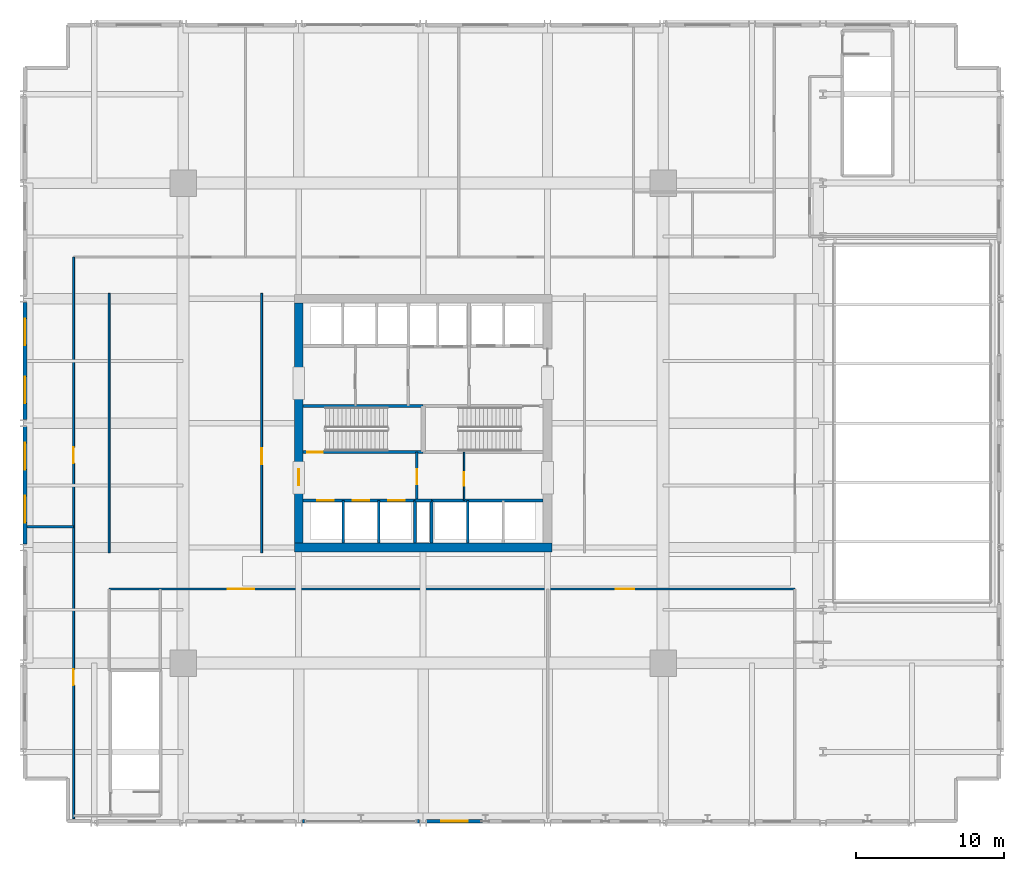
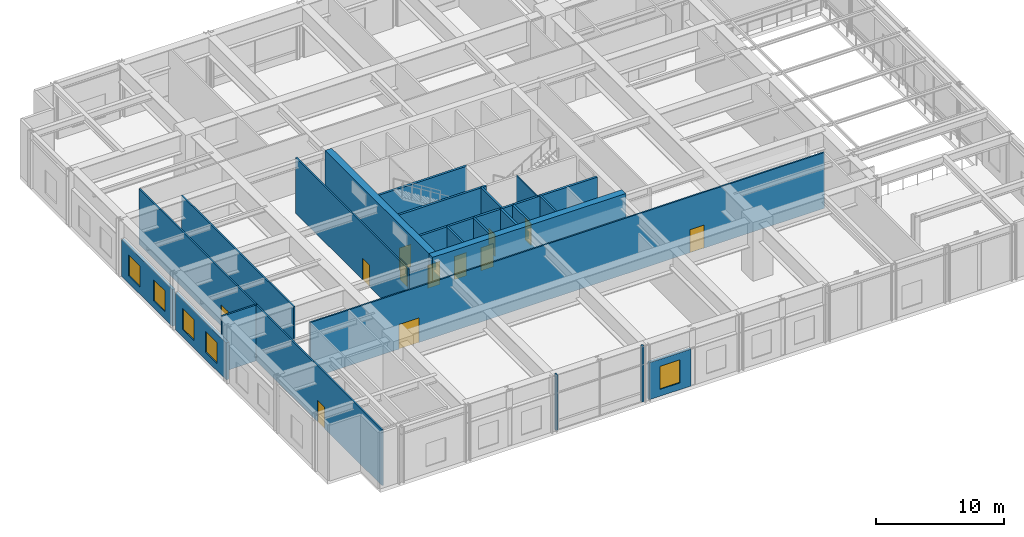
# One storey, part 11 of 19: 24 walls, 12 doors, 5 windows, 17 openings.
"""IFC4 building model written with IfcOpenShell, lengths in metres."""

import ifcopenshell
import ifcopenshell.guid

model = None  # the IFC model being written
_history = None  # IfcOwnerHistory: only IFC2X3 demands one
_inside = {}  # id of a spatial element -> (the spatial element, [elements in it])
_under = {}  # id of a project, library or spatial element -> (it, [spatial elements below it])
_declared = {}  # id of a project -> (the project, [libraries it declares])
_typed = {}  # id of a type object -> (the type object, [elements of that type])
_made_of = {}  # id of a material, layer set ... -> (it, [elements and type objects made of it])


def new_model(schema):
    """Start an empty IFC model of exactly this schema.

    Asked for "IFC4X3", IfcOpenShell would pick the latest addendum, in which some entities
    have other attributes; the version numbers below select the first issue.
    IFC2X3 requires an IfcOwnerHistory on every rooted entity: one is made here for all.
    """
    global model, _history
    if schema == "IFC4X3":
        model = ifcopenshell.file(schema_version=(4, 3, 0, 0))
    else:
        model = ifcopenshell.file(schema=schema)
    _inside.clear()
    _under.clear()
    _declared.clear()
    _typed.clear()
    _made_of.clear()
    _history = None
    if model.schema == "IFC2X3":
        org = make("IfcOrganization", Name="unknown")
        user = make(
            "IfcPersonAndOrganization",
            ThePerson=make("IfcPerson", FamilyName="unknown"),
            TheOrganization=org,
        )
        app = make(
            "IfcApplication",
            ApplicationDeveloper=org,
            Version="unknown",
            ApplicationFullName="unknown",
            ApplicationIdentifier="unknown",
        )
        _history = make(
            "IfcOwnerHistory",
            OwningUser=user,
            OwningApplication=app,
            ChangeAction="ADDED",
            CreationDate=0,
        )
    return model


def make(cls, **values):
    """One entity of the class cls with the attributes given. An attribute that is None is left unset."""
    return model.create_entity(
        cls, **{name: value for name, value in values.items() if value is not None}
    )


def rooted(cls, **values):
    """An entity with a GlobalId (a new one), such as an element, a storey or a relation."""
    return make(cls, GlobalId=ifcopenshell.guid.new(), OwnerHistory=_history, **values)


def si_unit(unit_type, name, prefix=None):
    """IfcSIUnit, for example si_unit("LENGTHUNIT", "METRE", prefix="MILLI")."""
    return make("IfcSIUnit", UnitType=unit_type, Prefix=prefix, Name=name)


def assignment(units):
    """IfcUnitAssignment: the units of a project."""
    return None if units is None else make("IfcUnitAssignment", Units=units)


def point(xyz):
    """IfcCartesianPoint."""
    return None if xyz is None else make("IfcCartesianPoint", Coordinates=xyz)


def direction(xyz):
    """IfcDirection."""
    return None if xyz is None else make("IfcDirection", DirectionRatios=xyz)


def frame(location, z_axis=None, x_axis=None):
    """IfcAxis2Placement3D, a coordinate frame: its origin and axes. An axis left out is left unset."""
    return make(
        "IfcAxis2Placement3D",
        Location=point(location),
        Axis=direction(z_axis),
        RefDirection=direction(x_axis),
    )


def frame_2d(location, x_axis=None):
    """IfcAxis2Placement2D, a coordinate frame in the plane: its origin and x axis."""
    return make(
        "IfcAxis2Placement2D", Location=point(location), RefDirection=direction(x_axis)
    )


def origin():
    """The frame at (0, 0, 0) with its axes left unset."""
    return frame((0.0, 0.0, 0.0))


def place(relative_to, where):
    """IfcLocalPlacement: puts the frame where relative to a parent placement (None: the world)."""
    return make(
        "IfcLocalPlacement", PlacementRelTo=relative_to, RelativePlacement=where
    )


def context(
    kind, dimensions, precision=None, world=None, true_north=None, identifier=None
):
    """IfcGeometricRepresentationContext, for example the 3D "Model" context."""
    return make(
        "IfcGeometricRepresentationContext",
        ContextIdentifier=identifier,
        ContextType=kind,
        CoordinateSpaceDimension=dimensions,
        Precision=precision,
        WorldCoordinateSystem=world,
        TrueNorth=true_north,
    )


def subcontext(parent, identifier, kind, view, scale=None):
    """IfcGeometricRepresentationSubContext, for example "Body" below "Model"."""
    return make(
        "IfcGeometricRepresentationSubContext",
        ContextIdentifier=identifier,
        ContextType=kind,
        ParentContext=parent,
        TargetScale=scale,
        TargetView=view,
    )


def project(units=None, contexts=None):
    """IfcProject with its units and contexts."""
    return rooted(
        "IfcProject",
        Name="project",
        RepresentationContexts=contexts,
        UnitsInContext=assignment(units),
    )


def spatial(cls, under=None, at=None, **own):
    """A site, building, storey or space (cls), placed at a placement, below another one or the project."""
    s = rooted(cls, ObjectPlacement=at, **own)
    if under is not None:
        _under.setdefault(under.id(), (under, []))[1].append(s)
    return s


def profile(cls, at=None, kind="AREA", **sizes):
    """A parametric profile (cls). Its sizes go by their IFC names, for example OverallWidth=200.0."""
    return make(cls, ProfileType=kind, Position=at, **sizes)


def rectangle(**sizes):
    """IfcRectangleProfileDef."""
    return profile("IfcRectangleProfileDef", **sizes)


def extrude(swept, where, along, depth):
    """IfcExtrudedAreaSolid: the profile swept, set in the frame where, extruded along a direction by depth."""
    return make(
        "IfcExtrudedAreaSolid",
        SweptArea=swept,
        Position=where,
        ExtrudedDirection=direction(along),
        Depth=depth,
    )


def shape(context_of_items, identifier, shape_type, items):
    """IfcShapeRepresentation: the items that make up one representation, for example the "Body"."""
    return make(
        "IfcShapeRepresentation",
        ContextOfItems=context_of_items,
        RepresentationIdentifier=identifier,
        RepresentationType=shape_type,
        Items=items,
    )


def material(Name=None, Category=None):
    """IfcMaterial."""
    return make("IfcMaterial", Name=Name, Category=Category)


def layer(
    of_material, thickness, ventilated=None, Name=None, Category=None, Priority=None
):
    """IfcMaterialLayer: one layer of a wall or slab, of a material (None: an air gap)."""
    return make(
        "IfcMaterialLayer",
        Material=of_material,
        LayerThickness=thickness,
        IsVentilated=ventilated,
        Name=Name,
        Category=Category,
        Priority=Priority,
    )


def layer_set(layers, Name=None):
    """IfcMaterialLayerSet."""
    return make("IfcMaterialLayerSet", MaterialLayers=layers, LayerSetName=Name)


def made_of(thing, what):
    """Note that an element or type object is made of a material, layer set ...; save() writes the relation."""
    if what is not None:
        _made_of.setdefault(what.id(), (what, []))[1].append(thing)
    return thing


def type_object(cls, material=None, **own):
    """A type object (cls), such as IfcWallType, which elements share."""
    return made_of(rooted(cls, **own), material)


def element(
    cls,
    number,
    at=None,
    inside=None,
    cuts=None,
    type_object=None,
    material=None,
    context=None,
    identifier="Body",
    shape_type=None,
    held_by="IfcProductDefinitionShape",
    body=None,
    shapes=None,
    **own,
):
    """One element of the class cls, such as IfcWall. Its Tag is "e" and its number.

    at: its placement. inside: the storey or other place that contains it. cuts: it is an
    opening in that element (IfcRelVoidsElement). A single representation is given by context,
    identifier, shape_type and body (its items); several are given by shapes. held_by: the class
    of the entity that holds the representations. save() writes the other relations.
    """
    e = rooted(cls, Tag="e%d" % number, ObjectPlacement=at, **own)
    if body is not None:
        shapes = [shape(context, identifier, shape_type, body)]
    if shapes is not None:
        e.Representation = make(held_by, Representations=shapes)
    if inside is not None:
        _inside.setdefault(inside.id(), (inside, []))[1].append(e)
    if cuts is not None:
        rooted(
            "IfcRelVoidsElement", RelatingBuildingElement=cuts, RelatedOpeningElement=e
        )
    if type_object is not None:
        _typed.setdefault(type_object.id(), (type_object, []))[1].append(e)
    return made_of(e, material)


def fill(opening, filler):
    """IfcRelFillsElement: the door or window that sits in an opening."""
    return rooted(
        "IfcRelFillsElement",
        RelatingOpeningElement=opening,
        RelatedBuildingElement=filler,
    )


def aggregate(whole, parts):
    """IfcRelAggregates: a whole, such as a stair, and the parts it consists of."""
    return rooted("IfcRelAggregates", RelatingObject=whole, RelatedObjects=parts)


def save(model, path):
    """Write the relations noted so far, then the file.

    IfcRelAggregates (storeys below a building ...), IfcRelContainedInSpatialStructure (elements
    in a storey), IfcRelDefinesByType, IfcRelAssociatesMaterial and IfcRelDeclares: one each for
    every whole, place, type object, material and project.
    """
    for whole, parts in _under.values():
        aggregate(whole, parts)
    for where, things in _inside.values():
        rooted(
            "IfcRelContainedInSpatialStructure",
            RelatedElements=things,
            RelatingStructure=where,
        )
    for kind, things in _typed.values():
        rooted("IfcRelDefinesByType", RelatedObjects=things, RelatingType=kind)
    for what, things in _made_of.values():
        rooted("IfcRelAssociatesMaterial", RelatedObjects=things, RelatingMaterial=what)
    for by, libraries in _declared.values():
        rooted("IfcRelDeclares", RelatingContext=by, RelatedDefinitions=libraries)
    model.write(path)


model = new_model("IFC4")

# Units and contexts
model_context = context("Model", 3, precision=1e-05, world=origin(), true_north=direction((0.0, 1.0)))
body_context = subcontext(model_context, "Body", "Model", "MODEL_VIEW")
ifc_project = project(units=[si_unit("LENGTHUNIT", "METRE"), si_unit("AREAUNIT", "SQUARE_METRE"), si_unit("VOLUMEUNIT", "CUBIC_METRE"), si_unit("PLANEANGLEUNIT", "RADIAN"), si_unit("MASSUNIT", "GRAM", prefix="KILO")], contexts=[model_context])

# Site, building, storey
site_placement = place(None, origin())
site = spatial("IfcSite", under=ifc_project, at=site_placement, CompositionType="ELEMENT")
building_placement = place(site_placement, origin())
building = spatial("IfcBuilding", under=site, at=building_placement, Name="Drelvath Grand Hotel", CompositionType="ELEMENT")
storey_placement = place(building_placement, frame((0.0, 0.0, 27.60009765625)))
storey = spatial("IfcBuildingStorey", under=building, at=storey_placement, Name="L05", CompositionType="ELEMENT", Elevation=27.60009765625)

# Wall, opening, door
ifc_material_1 = material(Name="Gypsum Partition Board")
ifc_layer_1 = layer(ifc_material_1, 0.10009765625)
ifc_layer_set_1 = layer_set([ifc_layer_1], Name="Gypsum Partition Board")
wall_type_1 = type_object("IfcWallType", Name="Core Closet Partition 100", PredefinedType="PARTITIONING", material=ifc_layer_set_1)
wall_1_placement = place(storey_placement, frame((2.760009765625, 21.780029296875, 0.0), z_axis=(0.0, 0.0, 1.0), x_axis=(0.0, 1.0, 0.0)))
wall_1 = element("IfcWall", 1, at=wall_1_placement, inside=storey, type_object=wall_type_1, Name="L05 Butler Pantry Wall", PredefinedType="PARTITIONING", context=body_context, shape_type="SweptSolid", body=[
    extrude(rectangle(XDim=3.260009765625, YDim=0.10009765625, at=frame_2d((1.6298828125, 0.0))), origin(), (0.0, 0.0, 1.0), 5.31982421875),
])
opening_1_placement = place(wall_1_placement, frame((1.0, 0.0, 0.0)))
opening_1 = element("IfcOpeningElement", 2, at=opening_1_placement, cuts=wall_1, Name="Opening D-L05-016", PredefinedType="OPENING", context=body_context, shape_type="SweptSolid", body=[
    extrude(rectangle(XDim=0.919921875, YDim=2.10009765625, at=frame_2d((0.4599609375, 1.050048828125))), frame((0.0, 0.06005859375, 0.0), z_axis=(0.0, -1.0, 0.0), x_axis=(1.0, 0.0, 0.0)), (0.0, 0.0, 1.0), 0.1201171875),
])
ifc_material_2 = material(Name="Painted Steel S275", Category="steel")
door_type_1 = type_object("IfcDoorType", Name="Staff Utility Door 920x2100", OperationType="NOTDEFINED", PredefinedType="DOOR", material=ifc_material_2)
door_1_placement = place(opening_1_placement, origin())
door_1 = element("IfcDoor", 3, at=door_1_placement, inside=storey, type_object=door_type_1, Name="L05 Butler Pantry Door", OperationType="SINGLE_SWING_LEFT", OverallHeight=2.10009765625, OverallWidth=0.919921875, PredefinedType="DOOR", context=body_context, shape_type="SweptSolid", body=[
    extrude(rectangle(XDim=0.919921875, YDim=2.10009765625, at=frame_2d((0.4599609375, 1.050048828125))), frame((0.0, 0.02490234375, 0.0), z_axis=(0.0, -1.0, 0.0), x_axis=(1.0, 0.0, 0.0)), (0.0, 0.0, 1.0), 0.050048828125),
])
fill(opening_1, door_1)

# Wall, openings, doors
ifc_material_3 = material(Name="Concrete C40/50", Category="concrete")
ifc_layer_2 = layer(ifc_material_3, 0.199951171875)
ifc_layer_set_2 = layer_set([ifc_layer_2], Name="Concrete C40/50")
wall_type_2 = type_object("IfcWallType", Name="Core Hoistway Fire Wall 200", PredefinedType="SOLIDWALL", material=ifc_layer_set_2)
wall_2_placement = place(storey_placement, frame((-0.550048828125, 21.780029296875, 0.0), z_axis=(0.0, 0.0, 1.0), x_axis=(-1.0, 0.0, 0.0)))
wall_2 = element("IfcWall", 4, at=wall_2_placement, inside=storey, type_object=wall_type_2, Name="L05 Bank 1 Hoistway Wall", PredefinedType="SOLIDWALL", context=body_context, shape_type="SweptSolid", body=[
    extrude(rectangle(XDim=7.550048828125, YDim=0.199951171875, at=frame_2d((3.77490234375, 0.0))), origin(), (0.0, 0.0, 1.0), 5.31982421875),
])
opening_2_placement = place(wall_2_placement, frame((5.5, 0.0, 0.0)))
opening_2 = element("IfcOpeningElement", 5, at=opening_2_placement, cuts=wall_2, Name="Opening LD-PE-1", PredefinedType="OPENING", context=body_context, shape_type="SweptSolid", body=[
    extrude(rectangle(XDim=1.10009765625, YDim=2.199951171875, at=frame_2d((0.550048828125, 1.10009765625))), frame((0.0, 0.10986328125, 0.0), z_axis=(0.0, -1.0, 0.0), x_axis=(1.0, 0.0, 0.0)), (0.0, 0.0, 1.0), 0.219970703125),
])
opening_3_placement = place(wall_2_placement, frame((3.10009765625, 0.0, 0.0)))
opening_3 = element("IfcOpeningElement", 6, at=opening_3_placement, cuts=wall_2, Name="Opening LD-PE-2", PredefinedType="OPENING", context=body_context, shape_type="SweptSolid", body=[
    extrude(rectangle(XDim=1.10009765625, YDim=2.199951171875, at=frame_2d((0.550048828125, 1.10009765625))), frame((0.0, 0.10986328125, 0.0), z_axis=(0.0, -1.0, 0.0), x_axis=(1.0, 0.0, 0.0)), (0.0, 0.0, 1.0), 0.219970703125),
])
opening_4_placement = place(wall_2_placement, frame((0.699951171875, 0.0, 0.0)))
opening_4 = element("IfcOpeningElement", 7, at=opening_4_placement, cuts=wall_2, Name="Opening LD-PE-3", PredefinedType="OPENING", context=body_context, shape_type="SweptSolid", body=[
    extrude(rectangle(XDim=1.10009765625, YDim=2.199951171875, at=frame_2d((0.550048828125, 1.10009765625))), frame((0.0, 0.10986328125, 0.0), z_axis=(0.0, -1.0, 0.0), x_axis=(1.0, 0.0, 0.0)), (0.0, 0.0, 1.0), 0.219970703125),
])
ifc_material_4 = material(Name="Stainless Steel S355", Category="steel")
door_type_2 = type_object("IfcDoorType", Name="Passenger Lift Sliding Landing Door 1100x2200", OperationType="NOTDEFINED", PredefinedType="DOOR", material=ifc_material_4)
door_2_placement = place(opening_2_placement, origin())
door_2 = element("IfcDoor", 8, at=door_2_placement, inside=storey, type_object=door_type_2, Name="L05 Lift PE-1 Landing Door", OperationType="SLIDING_TO_LEFT", OverallHeight=2.199951171875, OverallWidth=1.10009765625, PredefinedType="DOOR", context=body_context, shape_type="SweptSolid", body=[
    extrude(rectangle(XDim=1.10009765625, YDim=2.199951171875, at=frame_2d((0.550048828125, 1.10009765625))), frame((0.0, 0.02490234375, 0.0), z_axis=(0.0, -1.0, 0.0), x_axis=(1.0, 0.0, 0.0)), (0.0, 0.0, 1.0), 0.050048828125),
])
fill(opening_2, door_2)
door_3_placement = place(opening_3_placement, origin())
door_3 = element("IfcDoor", 9, at=door_3_placement, inside=storey, type_object=door_type_2, Name="L05 Lift PE-2 Landing Door", OperationType="SLIDING_TO_LEFT", OverallHeight=2.199951171875, OverallWidth=1.10009765625, PredefinedType="DOOR", context=body_context, shape_type="SweptSolid", body=[
    extrude(rectangle(XDim=1.10009765625, YDim=2.199951171875, at=frame_2d((0.550048828125, 1.10009765625))), frame((0.0, 0.02490234375, 0.0), z_axis=(0.0, -1.0, 0.0), x_axis=(1.0, 0.0, 0.0)), (0.0, 0.0, 1.0), 0.050048828125),
])
fill(opening_3, door_3)
door_4_placement = place(opening_4_placement, origin())
door_4 = element("IfcDoor", 10, at=door_4_placement, inside=storey, type_object=door_type_2, Name="L05 Lift PE-3 Landing Door", OperationType="SLIDING_TO_LEFT", OverallHeight=2.199951171875, OverallWidth=1.10009765625, PredefinedType="DOOR", context=body_context, shape_type="SweptSolid", body=[
    extrude(rectangle(XDim=1.10009765625, YDim=2.199951171875, at=frame_2d((0.550048828125, 1.10009765625))), frame((0.0, 0.02490234375, 0.0), z_axis=(0.0, -1.0, 0.0), x_axis=(1.0, 0.0, 0.0)), (0.0, 0.0, 1.0), 0.050048828125),
])
fill(opening_4, door_4)

# Walls
wall_3_placement = place(storey_placement, frame((-0.550048828125, 18.89990234375, 0.0), z_axis=(0.0, 0.0, 1.0), x_axis=(0.0, 1.0, 0.0)))
element("IfcWall", 11, at=wall_3_placement, inside=storey, type_object=wall_type_2, Name="L05 Bank 1 East Wall", PredefinedType="SOLIDWALL", context=body_context, shape_type="SweptSolid", body=[
    extrude(rectangle(XDim=2.880126953125, YDim=0.199951171875, at=frame_2d((1.43994140625, 0.0))), origin(), (0.0, 0.0, 1.0), 5.31982421875),
])
wall_4_placement = place(storey_placement, frame((8.10009765625, 21.780029296875, 0.0), z_axis=(0.0, 0.0, 1.0), x_axis=(-1.0, 0.0, 0.0)))
element("IfcWall", 12, at=wall_4_placement, inside=storey, type_object=wall_type_2, Name="L05 Bank 2 Hoistway Wall", PredefinedType="SOLIDWALL", context=body_context, shape_type="SweptSolid", body=[
    extrude(rectangle(XDim=7.550048828125, YDim=0.199951171875, at=frame_2d((3.77490234375, 0.0))), origin(), (0.0, 0.0, 1.0), 5.31982421875),
])
wall_5_placement = place(storey_placement, frame((0.550048828125, 18.89990234375, 0.0), z_axis=(0.0, 0.0, 1.0), x_axis=(0.0, 1.0, 0.0)))
element("IfcWall", 13, at=wall_5_placement, inside=storey, type_object=wall_type_2, Name="L05 Bank 2 West Wall", PredefinedType="SOLIDWALL", context=body_context, shape_type="SweptSolid", body=[
    extrude(rectangle(XDim=2.880126953125, YDim=0.199951171875, at=frame_2d((1.43994140625, 0.0))), origin(), (0.0, 0.0, 1.0), 5.31982421875),
])
wall_6_placement = place(storey_placement, frame((-0.550048828125, 21.780029296875, 0.0), z_axis=(0.0, 0.0, 1.0), x_axis=(1.0, 0.0, 0.0)))
element("IfcWall", 14, at=wall_6_placement, inside=storey, type_object=wall_type_2, Name="L05 Core Riser Wall", PredefinedType="SOLIDWALL", context=body_context, shape_type="SweptSolid", body=[
    extrude(rectangle(XDim=1.10009765625, YDim=0.199951171875, at=frame_2d((0.550048828125, 0.0))), origin(), (0.0, 0.0, 1.0), 5.31982421875),
])

# Wall, opening, door
ifc_layer_3 = layer(ifc_material_3, 0.199951171875)
ifc_layer_set_3 = layer_set([ifc_layer_3], Name="Concrete C40/50")
wall_type_3 = type_object("IfcWallType", Name="Core Shaft Fire Wall 200", PredefinedType="SOLIDWALL", material=ifc_layer_set_3)
wall_7_placement = place(storey_placement, frame((-8.10009765625, 25.0400390625, 0.0), z_axis=(0.0, 0.0, 1.0), x_axis=(1.0, 0.0, 0.0)))
wall_7 = element("IfcWall", 15, at=wall_7_placement, inside=storey, type_object=wall_type_3, Name="L05 Stair ST-1 South Wall", PredefinedType="SOLIDWALL", context=body_context, shape_type="SweptSolid", body=[
    extrude(rectangle(XDim=8.10009765625, YDim=0.199951171875, at=frame_2d((4.050048828125, 0.0))), origin(), (0.0, 0.0, 1.0), 5.31982421875),
])
opening_5_placement = place(wall_7_placement, frame((0.280029296875, 0.0, 0.0)))
opening_5 = element("IfcOpeningElement", 16, at=opening_5_placement, cuts=wall_7, Name="Opening D-L05-001", PredefinedType="OPENING", context=body_context, shape_type="SweptSolid", body=[
    extrude(rectangle(XDim=1.050048828125, YDim=2.10009765625, at=frame_2d((0.52490234375, 1.050048828125))), frame((0.0, 0.10986328125, 0.0), z_axis=(0.0, -1.0, 0.0), x_axis=(1.0, 0.0, 0.0)), (0.0, 0.0, 1.0), 0.219970703125),
])
door_type_3 = type_object("IfcDoorType", Name="Tower Stairwell Fire Door 1050x2100", OperationType="NOTDEFINED", PredefinedType="DOOR", material=ifc_material_2)
door_5_placement = place(opening_5_placement, origin())
door_5 = element("IfcDoor", 17, at=door_5_placement, inside=storey, type_object=door_type_3, Name="L05 Exit Stair ST-1 Door", OperationType="SINGLE_SWING_LEFT", OverallHeight=2.10009765625, OverallWidth=1.050048828125, PredefinedType="DOOR", context=body_context, shape_type="SweptSolid", body=[
    extrude(rectangle(XDim=1.050048828125, YDim=2.10009765625, at=frame_2d((0.52490234375, 1.050048828125))), frame((0.0, 0.02490234375, 0.0), z_axis=(0.0, -1.0, 0.0), x_axis=(1.0, 0.0, 0.0)), (0.0, 0.0, 1.0), 0.050048828125),
])
fill(opening_5, door_5)

# Walls
wall_8_placement = place(storey_placement, frame((-8.10009765625, 28.159912109375, 0.0), z_axis=(0.0, 0.0, 1.0), x_axis=(1.0, 0.0, 0.0)))
element("IfcWall", 18, at=wall_8_placement, inside=storey, type_object=wall_type_3, Name="L05 Stair ST-1 North Wall", PredefinedType="SOLIDWALL", context=body_context, shape_type="SweptSolid", body=[
    extrude(rectangle(XDim=8.10009765625, YDim=0.199951171875, at=frame_2d((4.050048828125, 0.0))), origin(), (0.0, 0.0, 1.0), 5.31982421875),
])
ifc_material_5 = material(Name="Gypsum Fireboard Partition")
ifc_layer_4 = layer(ifc_material_5, 0.1650390625)
ifc_layer_set_4 = layer_set([ifc_layer_4], Name="Gypsum Fireboard Partition")
wall_type_4 = type_object("IfcWallType", Name="Core Shaft Partition 165", PredefinedType="PARTITIONING", material=ifc_layer_set_4)
for number, where, z_axis, x_axis, name in (
    (19, (-5.39990234375, 18.89990234375, 0.0), (0.0, 0.0, 1.0), (0.0, 1.0, 0.0), "L05 Lift PE-1/2 Divider"),
    (20, (-3.0, 18.89990234375, 0.0), (0.0, 0.0, 1.0), (0.0, 1.0, 0.0), "L05 Lift PE-2/3 Divider"),
    (21, (3.0, 18.89990234375, 0.0), (0.0, 0.0, 1.0), (0.0, 1.0, 0.0), "L05 Lift PE-4/5 Divider"),
):
    element("IfcWall", number, at=place(storey_placement, frame(where, z_axis=z_axis, x_axis=x_axis)), inside=storey, type_object=wall_type_4, Name=name, PredefinedType="PARTITIONING", context=body_context, shape_type="SweptSolid", body=[
        extrude(rectangle(XDim=2.880126953125, YDim=0.1650390625, at=frame_2d((1.43994140625, 0.0))), origin(), (0.0, 0.0, 1.0), 5.31982421875),
    ])

# Wall, openings, doors
ifc_layer_5 = layer(ifc_material_5, 0.135009765625)
ifc_layer_set_5 = layer_set([ifc_layer_5], Name="Gypsum Fireboard Partition")
wall_type_5 = type_object("IfcWallType", Name="Corridor Fire Barrier Wall 135", PredefinedType="PARTITIONING", material=ifc_layer_set_5)
wall_9_placement = place(storey_placement, frame((-21.199951171875, 15.800048828125, 0.0), z_axis=(0.0, 0.0, 1.0), x_axis=(1.0, 0.0, 0.0)))
wall_9 = element("IfcWall", 22, at=wall_9_placement, inside=storey, type_object=wall_type_5, Name="L05 South Gallery Wall", PredefinedType="PARTITIONING", context=body_context, shape_type="SweptSolid", body=[
    extrude(rectangle(XDim=46.300048828125, YDim=0.135009765625, at=frame_2d((23.14990234375, 0.0))), origin(), (0.0, 0.0, 1.0), 5.31982421875),
])
opening_6_placement = place(wall_9_placement, frame((8.0, 0.0, 0.0)))
opening_6 = element("IfcOpeningElement", 23, at=opening_6_placement, cuts=wall_9, Name="Opening D-L05-024", PredefinedType="OPENING", context=body_context, shape_type="SweptSolid", body=[
    extrude(rectangle(XDim=1.800048828125, YDim=2.35009765625, at=frame_2d((0.89990234375, 1.175048828125))), frame((0.0, 0.077392578125, 0.0), z_axis=(0.0, -1.0, 0.0), x_axis=(1.0, 0.0, 0.0)), (0.0, 0.0, 1.0), 0.155029296875),
])
opening_7_placement = place(wall_9_placement, frame((34.199951171875, 0.0, 0.0)))
opening_7 = element("IfcOpeningElement", 24, at=opening_7_placement, cuts=wall_9, Name="Opening D-L05-025", PredefinedType="OPENING", context=body_context, shape_type="SweptSolid", body=[
    extrude(rectangle(XDim=1.260009765625, YDim=2.199951171875, at=frame_2d((0.6298828125, 1.10009765625))), frame((0.0, 0.077392578125, 0.0), z_axis=(0.0, -1.0, 0.0), x_axis=(1.0, 0.0, 0.0)), (0.0, 0.0, 1.0), 0.155029296875),
])
ifc_material_6 = material(Name="Hardwood Bronze-Clad Timber", Category="wood")
door_type_4 = type_object("IfcDoorType", Name="Assembly Double Fire Door 1800x2350", OperationType="NOTDEFINED", PredefinedType="DOOR", material=ifc_material_6)
door_6_placement = place(opening_6_placement, origin())
door_6 = element("IfcDoor", 25, at=door_6_placement, inside=storey, type_object=door_type_4, Name="L05 Indoor Pool Hall Door", OperationType="DOUBLE_DOOR_SINGLE_SWING", OverallHeight=2.35009765625, OverallWidth=1.800048828125, PredefinedType="DOOR", context=body_context, shape_type="SweptSolid", body=[
    extrude(rectangle(XDim=1.800048828125, YDim=2.35009765625, at=frame_2d((0.89990234375, 1.175048828125))), frame((0.0, 0.02490234375, 0.0), z_axis=(0.0, -1.0, 0.0), x_axis=(1.0, 0.0, 0.0)), (0.0, 0.0, 1.0), 0.050048828125),
])
fill(opening_6, door_6)
ifc_material_7 = material(Name="Hardwood Walnut Timber", Category="wood")
door_type_5 = type_object("IfcDoorType", Name="Suite Entrance Fire Door 1260x2200", OperationType="NOTDEFINED", PredefinedType="DOOR", material=ifc_material_7)
door_7_placement = place(opening_7_placement, origin())
door_7 = element("IfcDoor", 26, at=door_7_placement, inside=storey, type_object=door_type_5, Name="L05 Hydrotherapy Lounge Door", OperationType="SINGLE_SWING_LEFT", OverallHeight=2.199951171875, OverallWidth=1.260009765625, PredefinedType="DOOR", context=body_context, shape_type="SweptSolid", body=[
    extrude(rectangle(XDim=1.260009765625, YDim=2.199951171875, at=frame_2d((0.6298828125, 1.10009765625))), frame((0.0, 0.02490234375, 0.0), z_axis=(0.0, -1.0, 0.0), x_axis=(1.0, 0.0, 0.0)), (0.0, 0.0, 1.0), 0.050048828125),
])
fill(opening_7, door_7)

# Wall, opening, door
wall_10_placement = place(storey_placement, frame((-10.89990234375, 18.239990234375, 0.0), z_axis=(0.0, 0.0, 1.0), x_axis=(0.0, 1.0, 0.0)))
wall_10 = element("IfcWall", 27, at=wall_10_placement, inside=storey, type_object=wall_type_5, Name="L05 West Gallery Wall", PredefinedType="PARTITIONING", context=body_context, shape_type="SweptSolid", body=[
    extrude(rectangle(XDim=17.52001953125, YDim=0.135009765625, at=frame_2d((8.760009765625, 0.0))), origin(), (0.0, 0.0, 1.0), 5.31982421875),
])
opening_8_placement = place(wall_10_placement, frame((6.0, 0.0, 0.0)))
opening_8 = element("IfcOpeningElement", 28, at=opening_8_placement, cuts=wall_10, Name="Opening D-L05-031", PredefinedType="OPENING", context=body_context, shape_type="SweptSolid", body=[
    extrude(rectangle(XDim=1.080078125, YDim=2.0400390625, at=frame_2d((0.5400390625, 1.02001953125))), frame((0.0, 0.077392578125, 0.0), z_axis=(0.0, -1.0, 0.0), x_axis=(1.0, 0.0, 0.0)), (0.0, 0.0, 1.0), 0.155029296875),
])
door_type_6 = type_object("IfcDoorType", Name="Core Corridor Fire Door 1080x2100", OperationType="NOTDEFINED", PredefinedType="DOOR", material=ifc_material_2)
door_8_placement = place(opening_8_placement, origin())
door_8 = element("IfcDoor", 29, at=door_8_placement, inside=storey, type_object=door_type_6, Name="L05 Center-West Room Door", OperationType="SINGLE_SWING_LEFT", OverallHeight=2.0400390625, OverallWidth=1.080078125, PredefinedType="DOOR", context=body_context, shape_type="SweptSolid", body=[
    extrude(rectangle(XDim=1.080078125, YDim=2.0400390625, at=frame_2d((0.5400390625, 1.02001953125))), frame((0.0, 0.02490234375, 0.0), z_axis=(0.0, -1.0, 0.0), x_axis=(1.0, 0.0, 0.0)), (0.0, 0.0, 1.0), 0.050048828125),
])
fill(opening_8, door_8)

# Wall
wall_11_placement = place(storey_placement, frame((-21.199951171875, 18.239990234375, 0.0), z_axis=(0.0, 0.0, 1.0), x_axis=(0.0, 1.0, 0.0)))
element("IfcWall", 30, at=wall_11_placement, inside=storey, type_object=wall_type_5, Name="L05 ST-3 Spur North-East Wall", PredefinedType="PARTITIONING", context=body_context, shape_type="SweptSolid", body=[
    extrude(rectangle(XDim=17.52001953125, YDim=0.135009765625, at=frame_2d((8.760009765625, 0.0))), origin(), (0.0, 0.0, 1.0), 5.31982421875),
])

# Wall, openings, doors
wall_12_placement = place(storey_placement, frame((-23.60009765625, 0.300048828125, 0.0), z_axis=(0.0, 0.0, 1.0), x_axis=(0.0, 1.0, 0.0)))
wall_12 = element("IfcWall", 31, at=wall_12_placement, inside=storey, type_object=wall_type_5, Name="L05 West Wing Corridor Wall", PredefinedType="PARTITIONING", context=body_context, shape_type="SweptSolid", body=[
    extrude(rectangle(XDim=37.89990234375, YDim=0.135009765625, at=frame_2d((18.949951171875, 0.0))), origin(), (0.0, 0.0, 1.0), 5.31982421875),
])
opening_9_placement = place(wall_12_placement, frame((9.0, 0.0, 0.0)))
opening_9 = element("IfcOpeningElement", 32, at=opening_9_placement, cuts=wall_12, Name="Opening D-L05-029", PredefinedType="OPENING", context=body_context, shape_type="SweptSolid", body=[
    extrude(rectangle(XDim=1.080078125, YDim=2.0400390625, at=frame_2d((0.5400390625, 1.02001953125))), frame((0.0, 0.077392578125, 0.0), z_axis=(0.0, -1.0, 0.0), x_axis=(1.0, 0.0, 0.0)), (0.0, 0.0, 1.0), 0.155029296875),
])
opening_10_placement = place(wall_12_placement, frame((24.0, 0.0, 0.0)))
opening_10 = element("IfcOpeningElement", 33, at=opening_10_placement, cuts=wall_12, Name="Opening D-L05-030", PredefinedType="OPENING", context=body_context, shape_type="SweptSolid", body=[
    extrude(rectangle(XDim=1.080078125, YDim=2.0400390625, at=frame_2d((0.5400390625, 1.02001953125))), frame((0.0, 0.077392578125, 0.0), z_axis=(0.0, -1.0, 0.0), x_axis=(1.0, 0.0, 0.0)), (0.0, 0.0, 1.0), 0.155029296875),
])
door_9_placement = place(opening_9_placement, origin())
door_9 = element("IfcDoor", 34, at=door_9_placement, inside=storey, type_object=door_type_6, Name="L05 West Wing South Door", OperationType="SINGLE_SWING_LEFT", OverallHeight=2.0400390625, OverallWidth=1.080078125, PredefinedType="DOOR", context=body_context, shape_type="SweptSolid", body=[
    extrude(rectangle(XDim=1.080078125, YDim=2.0400390625, at=frame_2d((0.5400390625, 1.02001953125))), frame((0.0, 0.02490234375, 0.0), z_axis=(0.0, -1.0, 0.0), x_axis=(1.0, 0.0, 0.0)), (0.0, 0.0, 1.0), 0.050048828125),
])
fill(opening_9, door_9)
door_10_placement = place(opening_10_placement, origin())
door_10 = element("IfcDoor", 35, at=door_10_placement, inside=storey, type_object=door_type_6, Name="L05 West Wing North Door", OperationType="SINGLE_SWING_RIGHT", OverallHeight=2.0400390625, OverallWidth=1.080078125, PredefinedType="DOOR", context=body_context, shape_type="SweptSolid", body=[
    extrude(rectangle(XDim=1.080078125, YDim=2.0400390625, at=frame_2d((0.5400390625, 1.02001953125))), frame((0.0, 0.02490234375, 0.0), z_axis=(0.0, -1.0, 0.0), x_axis=(1.0, 0.0, 0.0)), (0.0, 0.0, 1.0), 0.050048828125),
])
fill(opening_10, door_10)

# Wall, opening, door
ifc_layer_6 = layer(ifc_material_5, 0.179931640625)
ifc_layer_set_6 = layer_set([ifc_layer_6], Name="Gypsum Fireboard Partition")
wall_type_6 = type_object("IfcWallType", Name="FSAE Smoke Lobby Fire Wall 180", PredefinedType="SOLIDWALL", material=ifc_layer_set_6)
wall_13_placement = place(storey_placement, frame((-0.419921875, 21.780029296875, 0.0), z_axis=(0.0, 0.0, 1.0), x_axis=(0.0, 1.0, 0.0)))
wall_13 = element("IfcWall", 36, at=wall_13_placement, inside=storey, type_object=wall_type_6, Name="L05 Low-Rise Lobby East Wall", PredefinedType="SOLIDWALL", context=body_context, shape_type="SweptSolid", body=[
    extrude(rectangle(XDim=3.260009765625, YDim=0.179931640625, at=frame_2d((1.6298828125, 0.0))), origin(), (0.0, 0.0, 1.0), 5.31982421875),
])
opening_11_placement = place(wall_13_placement, frame((1.10009765625, 0.0, 0.0)))
opening_11 = element("IfcOpeningElement", 37, at=opening_11_placement, cuts=wall_13, Name="Opening D-L05-014", PredefinedType="OPENING", context=body_context, shape_type="SweptSolid", body=[
    extrude(rectangle(XDim=1.0, YDim=2.10009765625, at=frame_2d((0.5, 1.050048828125))), frame((0.0, 0.099853515625, 0.0), z_axis=(0.0, -1.0, 0.0), x_axis=(1.0, 0.0, 0.0)), (0.0, 0.0, 1.0), 0.199951171875),
])
door_type_7 = type_object("IfcDoorType", Name="Core Service Fire Door 1000x2100", OperationType="NOTDEFINED", PredefinedType="DOOR", material=ifc_material_2)
door_11_placement = place(opening_11_placement, origin())
door_11 = element("IfcDoor", 38, at=door_11_placement, inside=storey, type_object=door_type_7, Name="L05 Housekeeping Entry Door", OperationType="SINGLE_SWING_LEFT", OverallHeight=2.10009765625, OverallWidth=1.0, PredefinedType="DOOR", context=body_context, shape_type="SweptSolid", body=[
    extrude(rectangle(XDim=1.0, YDim=2.10009765625, at=frame_2d((0.5, 1.050048828125))), frame((0.0, 0.02490234375, 0.0), z_axis=(0.0, -1.0, 0.0), x_axis=(1.0, 0.0, 0.0)), (0.0, 0.0, 1.0), 0.050048828125),
])
fill(opening_11, door_11)

# Walls
ifc_material_8 = material(Name="Gypsum Acoustic Partition")
ifc_layer_7 = layer(ifc_material_8, 0.14990234375)
ifc_layer_set_7 = layer_set([ifc_layer_7], Name="Gypsum Acoustic Partition")
wall_type_7 = type_object("IfcWallType", Name="Guestroom Demising Wall 150", PredefinedType="PARTITIONING", material=ifc_layer_set_7)
wall_14_placement = place(storey_placement, frame((-26.760009765625, 20.0, 0.0), z_axis=(0.0, 0.0, 1.0), x_axis=(1.0, 0.0, 0.0)))
element("IfcWall", 39, at=wall_14_placement, inside=storey, type_object=wall_type_7, Name="L05 West Spa Treatment Split", PredefinedType="PARTITIONING", context=body_context, shape_type="SweptSolid", body=[
    extrude(rectangle(XDim=3.159912109375, YDim=0.14990234375, at=frame_2d((1.580078125, 0.0))), origin(), (0.0, 0.0, 1.0), 5.31982421875),
])
ifc_material_9 = material(Name="Concrete f'c 70 MPa", Category="concrete")
ifc_layer_8 = layer(ifc_material_9, 0.60009765625)
ifc_layer_set_8 = layer_set([ifc_layer_8], Name="Concrete f'c 70 MPa")
wall_type_8 = type_object("IfcWallType", Name="Lower Core RC Shear Wall 600", PredefinedType="SHEAR", material=ifc_layer_set_8)
wall_15_placement = place(storey_placement, frame((8.699951171875, 18.60009765625, 0.0), z_axis=(0.0, 0.0, 1.0), x_axis=(-1.0, 0.0, 0.0)))
element("IfcWall", 40, at=wall_15_placement, inside=storey, type_object=wall_type_8, Name="L05 Central Core Shear Wall S", PredefinedType="SHEAR", context=body_context, shape_type="SweptSolid", body=[
    extrude(rectangle(XDim=17.39990234375, YDim=0.60009765625, at=frame_2d((8.699951171875, 0.0))), origin(), (0.0, 0.0, 1.0), 5.599853515625),
])

# Wall, opening, door
wall_16_placement = place(storey_placement, frame((-8.39990234375, 18.89990234375, 0.0), z_axis=(0.0, 0.0, 1.0), x_axis=(0.0, 1.0, 0.0)))
wall_16 = element("IfcWall", 41, at=wall_16_placement, inside=storey, type_object=wall_type_8, Name="L05 Central Core Shear Wall W", PredefinedType="SHEAR", context=body_context, shape_type="SweptSolid", body=[
    extrude(rectangle(XDim=16.2001953125, YDim=0.60009765625, at=frame_2d((8.10009765625, 0.0))), origin(), (0.0, 0.0, 1.0), 5.599853515625),
])
opening_12_placement = place(wall_16_placement, frame((3.89990234375, 0.0, 0.0)))
opening_12 = element("IfcOpeningElement", 42, at=opening_12_placement, cuts=wall_16, Name="Opening D-L05-015", PredefinedType="OPENING", context=body_context, shape_type="SweptSolid", body=[
    extrude(rectangle(XDim=1.080078125, YDim=2.0400390625, at=frame_2d((0.5400390625, 1.02001953125))), frame((0.0, 0.31005859375, 0.0), z_axis=(0.0, -1.0, 0.0), x_axis=(1.0, 0.0, 0.0)), (0.0, 0.0, 1.0), 0.6201171875),
])
door_12_placement = place(opening_12_placement, origin())
door_12 = element("IfcDoor", 43, at=door_12_placement, inside=storey, type_object=door_type_6, Name="L05 Low-Rise Lobby West Door", OperationType="SINGLE_SWING_RIGHT", OverallHeight=2.0400390625, OverallWidth=1.080078125, PredefinedType="DOOR", context=body_context, shape_type="SweptSolid", body=[
    extrude(rectangle(XDim=1.080078125, YDim=2.0400390625, at=frame_2d((0.5400390625, 1.02001953125))), frame((0.0, 0.02490234375, 0.0), z_axis=(0.0, -1.0, 0.0), x_axis=(1.0, 0.0, 0.0)), (0.0, 0.0, 1.0), 0.050048828125),
])
fill(opening_12, door_12)

# Wall, openings, windows
ifc_material_10 = material(Name="Insulated Granite Rainscreen Assembly", Category="masonry")
ifc_layer_9 = layer(ifc_material_10, 0.239990234375)
ifc_layer_set_9 = layer_set([ifc_layer_9], Name="Insulated Granite Rainscreen Assembly")
wall_type_9 = type_object("IfcWallType", Name="Podium Granite Rainscreen Exterior Wall 240", PredefinedType="STANDARD", material=ifc_layer_set_9)
wall_17_placement = place(storey_placement, frame((-26.8798828125, 18.8408203125, 0.0), z_axis=(0.0, 0.0, 1.0), x_axis=(0.0, 1.0, 0.0)))
wall_17 = element("IfcWall", 44, at=wall_17_placement, inside=storey, type_object=wall_type_9, Name="L05 West Podium Granite Wall 4", PredefinedType="STANDARD", context=body_context, shape_type="SweptSolid", body=[
    extrude(rectangle(XDim=7.918212890625, YDim=0.239990234375, at=frame_2d((3.958984375, 0.0))), origin(), (0.0, 0.0, 1.0), 3.52001953125),
])
opening_13_placement = place(wall_17_placement, frame((1.449951171875, 0.0, 0.699951171875)))
opening_13 = element("IfcOpeningElement", 45, at=opening_13_placement, cuts=wall_17, Name="Opening W-02", PredefinedType="OPENING", context=body_context, shape_type="SweptSolid", body=[
    extrude(rectangle(XDim=1.800048828125, YDim=2.0, at=frame_2d((0.89990234375, 1.0))), frame((0.0, 0.1298828125, 0.0), z_axis=(0.0, -1.0, 0.0), x_axis=(1.0, 0.0, 0.0)), (0.0, 0.0, 1.0), 0.260009765625),
])
opening_14_placement = place(wall_17_placement, frame((5.018310546875, 0.0, 0.699951171875)))
opening_14 = element("IfcOpeningElement", 46, at=opening_14_placement, cuts=wall_17, Name="Opening W-02", PredefinedType="OPENING", context=body_context, shape_type="SweptSolid", body=[
    extrude(rectangle(XDim=1.800048828125, YDim=2.0, at=frame_2d((0.89990234375, 1.0))), frame((0.0, 0.1298828125, 0.0), z_axis=(0.0, -1.0, 0.0), x_axis=(1.0, 0.0, 0.0)), (0.0, 0.0, 1.0), 0.260009765625),
])
ifc_material_11 = material(Name="Bronze Anodised Low-E Triple Glazing", Category="glass")
window_type = type_object("IfcWindowType", Name="Chicago Double-Pane Podium Window 1800x2400", PartitioningType="DOUBLE_PANEL_VERTICAL", PredefinedType="WINDOW", material=ifc_material_11)
window_1_placement = place(opening_13_placement, origin())
window_1 = element("IfcWindow", 47, at=window_1_placement, inside=storey, type_object=window_type, Name="L05 West Podium Window 4-1", OverallHeight=2.0, OverallWidth=1.800048828125, PartitioningType="SINGLE_PANEL", PredefinedType="WINDOW", context=body_context, shape_type="SweptSolid", body=[
    extrude(rectangle(XDim=1.800048828125, YDim=2.0, at=frame_2d((0.89990234375, 1.0))), frame((0.0, 0.030029296875, 0.0), z_axis=(0.0, -1.0, 0.0), x_axis=(1.0, 0.0, 0.0)), (0.0, 0.0, 1.0), 0.06005859375),
])
fill(opening_13, window_1)
window_2_placement = place(opening_14_placement, origin())
window_2 = element("IfcWindow", 48, at=window_2_placement, inside=storey, type_object=window_type, Name="L05 West Podium Window 4-2", OverallHeight=2.0, OverallWidth=1.800048828125, PartitioningType="SINGLE_PANEL", PredefinedType="WINDOW", context=body_context, shape_type="SweptSolid", body=[
    extrude(rectangle(XDim=1.800048828125, YDim=2.0, at=frame_2d((0.89990234375, 1.0))), frame((0.0, 0.030029296875, 0.0), z_axis=(0.0, -1.0, 0.0), x_axis=(1.0, 0.0, 0.0)), (0.0, 0.0, 1.0), 0.06005859375),
])
fill(opening_14, window_2)

wall_18_placement = place(storey_placement, frame((-26.8798828125, 27.240966796875, 0.0), z_axis=(0.0, 0.0, 1.0), x_axis=(0.0, 1.0, 0.0)))
wall_18 = element("IfcWall", 49, at=wall_18_placement, inside=storey, type_object=wall_type_9, Name="L05 West Podium Granite Wall 5", PredefinedType="STANDARD", context=body_context, shape_type="SweptSolid", body=[
    extrude(rectangle(XDim=7.918212890625, YDim=0.239990234375, at=frame_2d((3.958984375, 0.0))), origin(), (0.0, 0.0, 1.0), 3.52001953125),
])
opening_15_placement = place(wall_18_placement, frame((1.10009765625, 0.0, 0.699951171875)))
opening_15 = element("IfcOpeningElement", 50, at=opening_15_placement, cuts=wall_18, Name="Opening W-02", PredefinedType="OPENING", context=body_context, shape_type="SweptSolid", body=[
    extrude(rectangle(XDim=1.800048828125, YDim=2.0, at=frame_2d((0.89990234375, 1.0))), frame((0.0, 0.1298828125, 0.0), z_axis=(0.0, -1.0, 0.0), x_axis=(1.0, 0.0, 0.0)), (0.0, 0.0, 1.0), 0.260009765625),
])
opening_16_placement = place(wall_18_placement, frame((5.018310546875, 0.0, 0.699951171875)))
opening_16 = element("IfcOpeningElement", 51, at=opening_16_placement, cuts=wall_18, Name="Opening W-02", PredefinedType="OPENING", context=body_context, shape_type="SweptSolid", body=[
    extrude(rectangle(XDim=1.800048828125, YDim=2.0, at=frame_2d((0.89990234375, 1.0))), frame((0.0, 0.1298828125, 0.0), z_axis=(0.0, -1.0, 0.0), x_axis=(1.0, 0.0, 0.0)), (0.0, 0.0, 1.0), 0.260009765625),
])
window_3_placement = place(opening_15_placement, origin())
window_3 = element("IfcWindow", 52, at=window_3_placement, inside=storey, type_object=window_type, Name="L05 West Podium Window 5-1", OverallHeight=2.0, OverallWidth=1.800048828125, PartitioningType="SINGLE_PANEL", PredefinedType="WINDOW", context=body_context, shape_type="SweptSolid", body=[
    extrude(rectangle(XDim=1.800048828125, YDim=2.0, at=frame_2d((0.89990234375, 1.0))), frame((0.0, 0.030029296875, 0.0), z_axis=(0.0, -1.0, 0.0), x_axis=(1.0, 0.0, 0.0)), (0.0, 0.0, 1.0), 0.06005859375),
])
fill(opening_15, window_3)
window_4_placement = place(opening_16_placement, origin())
window_4 = element("IfcWindow", 53, at=window_4_placement, inside=storey, type_object=window_type, Name="L05 West Podium Window 5-2", OverallHeight=2.0, OverallWidth=1.800048828125, PartitioningType="SINGLE_PANEL", PredefinedType="WINDOW", context=body_context, shape_type="SweptSolid", body=[
    extrude(rectangle(XDim=1.800048828125, YDim=2.0, at=frame_2d((0.89990234375, 1.0))), frame((0.0, 0.030029296875, 0.0), z_axis=(0.0, -1.0, 0.0), x_axis=(1.0, 0.0, 0.0)), (0.0, 0.0, 1.0), 0.06005859375),
])
fill(opening_16, window_4)

# Walls
wall_19_placement = place(storey_placement, frame((-8.0, 0.1201171875, 0.0), z_axis=(0.0, 0.0, 1.0), x_axis=(-1.0, 0.0, 0.0)))
element("IfcWall", 54, at=wall_19_placement, inside=storey, type_object=wall_type_9, Name="L05 South Podium Granite Wall 5", PredefinedType="STANDARD", context=body_context, shape_type="SweptSolid", body=[
    extrude(rectangle(XDim=0.1591796875, YDim=0.239990234375, at=frame_2d((0.07958984375, 0.0))), origin(), (0.0, 0.0, 1.0), 5.31982421875),
])
wall_20_placement = place(storey_placement, frame((-0.240966796875, 0.1201171875, 0.0), z_axis=(0.0, 0.0, 1.0), x_axis=(-1.0, 0.0, 0.0)))
element("IfcWall", 55, at=wall_20_placement, inside=storey, type_object=wall_type_9, Name="L05 South Podium Granite Wall 6", PredefinedType="STANDARD", context=body_context, shape_type="SweptSolid", body=[
    extrude(rectangle(XDim=0.158935546875, YDim=0.239990234375, at=frame_2d((0.07958984375, 0.0))), origin(), (0.0, 0.0, 1.0), 5.31982421875),
])

# Wall, opening, window
wall_21_placement = place(storey_placement, frame((4.00732421875, 0.1201171875, 0.0), z_axis=(0.0, 0.0, 1.0), x_axis=(-1.0, 0.0, 0.0)))
wall_21 = element("IfcWall", 56, at=wall_21_placement, inside=storey, type_object=wall_type_9, Name="L05 South Podium Granite Wall 7", PredefinedType="STANDARD", context=body_context, shape_type="SweptSolid", body=[
    extrude(rectangle(XDim=3.766357421875, YDim=0.239990234375, at=frame_2d((1.88330078125, 0.0))), origin(), (0.0, 0.0, 1.0), 3.52001953125),
])
opening_17_placement = place(wall_21_placement, frame((0.983154296875, 0.0, 0.64990234375)))
opening_17 = element("IfcOpeningElement", 57, at=opening_17_placement, cuts=wall_21, Name="Opening W-02", PredefinedType="OPENING", context=body_context, shape_type="SweptSolid", body=[
    extrude(rectangle(XDim=1.800048828125, YDim=2.199951171875, at=frame_2d((0.89990234375, 1.10009765625))), frame((0.0, 0.1298828125, 0.0), z_axis=(0.0, -1.0, 0.0), x_axis=(1.0, 0.0, 0.0)), (0.0, 0.0, 1.0), 0.260009765625),
])
window_5_placement = place(opening_17_placement, origin())
window_5 = element("IfcWindow", 58, at=window_5_placement, inside=storey, type_object=window_type, Name="L05 South Chicago Window 7", OverallHeight=2.199951171875, OverallWidth=1.800048828125, PartitioningType="SINGLE_PANEL", PredefinedType="WINDOW", context=body_context, shape_type="SweptSolid", body=[
    extrude(rectangle(XDim=1.800048828125, YDim=2.199951171875, at=frame_2d((0.89990234375, 1.10009765625))), frame((0.0, 0.030029296875, 0.0), z_axis=(0.0, -1.0, 0.0), x_axis=(1.0, 0.0, 0.0)), (0.0, 0.0, 1.0), 0.06005859375),
])
fill(opening_17, window_5)

save(model, "model.ifc")
